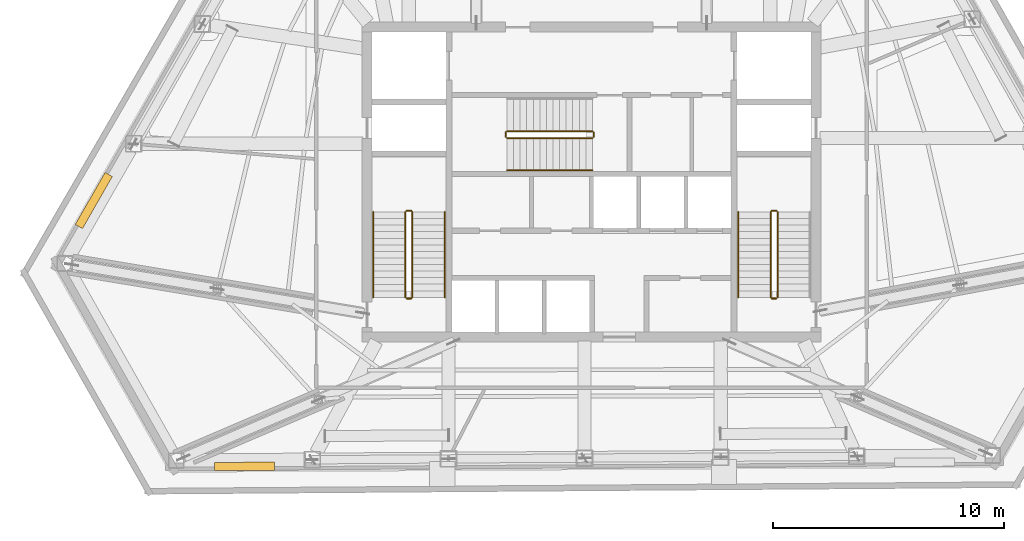
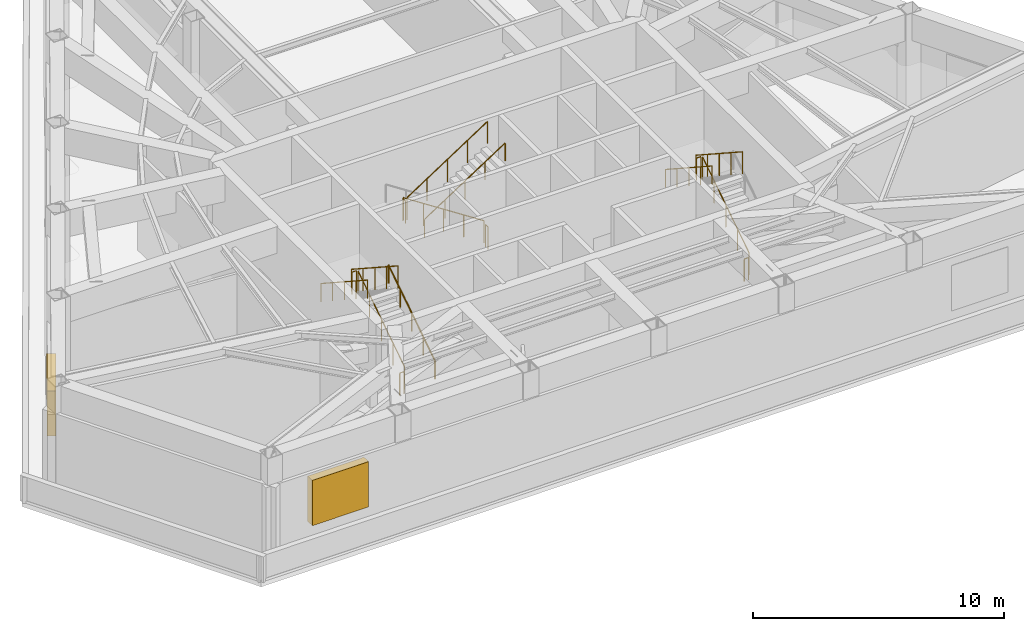
# One storey, part 12 of 13: 16 railings, 2 shading devices.
"""IFC4 building model written with IfcOpenShell, lengths in metres."""

from ifc_helpers import new_model, si_unit, direction, frame, origin, origin_2d, place, context, subcontext, project, spatial, rectangle, circle, extrude, material, layer, layer_set, type_object, element, save


model = new_model("IFC4")

# Units and contexts
model_context = context("Model", 3, precision=1e-05, world=origin(), true_north=direction((0.0, 1.0)))
body_context = subcontext(model_context, "Body", "Model", "MODEL_VIEW")
ifc_project = project(units=[si_unit("LENGTHUNIT", "METRE"), si_unit("AREAUNIT", "SQUARE_METRE"), si_unit("VOLUMEUNIT", "CUBIC_METRE"), si_unit("PLANEANGLEUNIT", "RADIAN"), si_unit("MASSUNIT", "GRAM", prefix="KILO")], contexts=[model_context])

# Site, building, storey
site_placement = place(None, origin())
site = spatial("IfcSite", under=ifc_project, at=site_placement, CompositionType="ELEMENT")
building_placement = place(site_placement, origin())
building = spatial("IfcBuilding", under=site, at=building_placement, Name="Kavelnor Concourse Tower", CompositionType="ELEMENT")
storey_placement = place(building_placement, frame((0.0, 0.0, 154.800048828125)))
storey = spatial("IfcBuildingStorey", under=building, at=storey_placement, Name="L39", CompositionType="ELEMENT", Elevation=154.800048828125)

# Railings
ifc_material_1 = material(Name="Steel Grade 350", Category="steel")
railing_type_1 = type_object("IfcRailingType", Name="RLG-GUARD-1100", PredefinedType="GUARDRAIL", material=ifc_material_1)
railing_1_placement = place(storey_placement, frame((30.22998046875, 11.10009765625, 0.185546875)))
element("IfcRailing", 1, at=railing_1_placement, inside=storey, type_object=railing_type_1, Name="L39 ST1 stair guard 1", PredefinedType="GUARDRAIL", context=body_context, shape_type="SweptSolid", body=[
    extrude(circle(Radius=0.02392578125, at=origin_2d()), frame((0.0, 0.0, 1.076171875), z_axis=(0.0, 0.837806046772, 0.545967973412), x_axis=(-1.0, 0.0, 0.0)), (0.0, 0.0, 1.0), 4.422119140625),
    extrude(circle(Radius=0.02099609375, at=origin_2d()), origin(), (0.0, 0.0, 1.0), 1.052001953125),
    extrude(circle(Radius=0.02099609375, at=origin_2d()), frame((0.0, 0.92626953125, 0.603515625)), (0.0, 0.0, 1.0), 1.052001953125),
    extrude(circle(Radius=0.02099609375, at=origin_2d()), frame((0.0, 1.8525390625, 1.20703125)), (0.0, 0.0, 1.0), 1.052001953125),
    extrude(circle(Radius=0.02099609375, at=origin_2d()), frame((0.0, 2.778564453125, 1.810791015625)), (0.0, 0.0, 1.0), 1.052001953125),
    extrude(circle(Radius=0.02099609375, at=origin_2d()), frame((0.0, 3.704833984375, 2.414306640625)), (0.0, 0.0, 1.0), 1.052001953125),
])
railing_2_placement = place(storey_placement, frame((30.179931640625, 14.85498046875, 2.599853515625)))
element("IfcRailing", 2, at=railing_2_placement, inside=storey, type_object=railing_type_1, Name="L39 ST1 stair guard 2", PredefinedType="GUARDRAIL", context=body_context, shape_type="SweptSolid", body=[
    extrude(circle(Radius=0.02392578125, at=origin_2d()), frame((0.0, 0.0, 1.076171875), z_axis=(-1.0, 0.0, 0.0), x_axis=(0.0, -1.0, 0.0)), (0.0, 0.0, 1.0), 0.199951171875),
    extrude(circle(Radius=0.02099609375, at=origin_2d()), origin(), (0.0, 0.0, 1.0), 1.052001953125),
    extrude(circle(Radius=0.02099609375, at=origin_2d()), frame((-0.199951171875, 0.0, 0.0)), (0.0, 0.0, 1.0), 1.052001953125),
])
railing_3_placement = place(storey_placement, frame((29.929931640625, 14.804931640625, 2.78564453125)))
element("IfcRailing", 3, at=railing_3_placement, inside=storey, type_object=railing_type_1, Name="L39 ST1 stair guard 3", PredefinedType="GUARDRAIL", context=body_context, shape_type="SweptSolid", body=[
    extrude(circle(Radius=0.02392578125, at=origin_2d()), frame((0.0, 0.0, 1.076171875), z_axis=(0.0, -0.837806046772, 0.545967973412), x_axis=(1.0, 0.0, 0.0)), (0.0, 0.0, 1.0), 4.422119140625),
    extrude(circle(Radius=0.02099609375, at=origin_2d()), origin(), (0.0, 0.0, 1.0), 1.052001953125),
    extrude(circle(Radius=0.02099609375, at=origin_2d()), frame((0.0, -0.92626953125, 0.603515625)), (0.0, 0.0, 1.0), 1.052001953125),
    extrude(circle(Radius=0.02099609375, at=origin_2d()), frame((0.0, -1.8525390625, 1.20703125)), (0.0, 0.0, 1.0), 1.052001953125),
    extrude(circle(Radius=0.02099609375, at=origin_2d()), frame((0.0, -2.778564453125, 1.810791015625)), (0.0, 0.0, 1.0), 1.052001953125),
    extrude(circle(Radius=0.02099609375, at=origin_2d()), frame((0.0, -3.704833984375, 2.414306640625)), (0.0, 0.0, 1.0), 1.052001953125),
])
railing_4_placement = place(storey_placement, frame((30.179931640625, 11.050048828125, 0.0)))
element("IfcRailing", 4, at=railing_4_placement, inside=storey, type_object=railing_type_1, Name="L39 ST1 stair guard 4", PredefinedType="GUARDRAIL", context=body_context, shape_type="SweptSolid", body=[
    extrude(circle(Radius=0.02392578125, at=origin_2d()), frame((0.0, 0.0, 1.076171875), z_axis=(-1.0, 0.0, 0.0), x_axis=(0.0, -1.0, 0.0)), (0.0, 0.0, 1.0), 0.199951171875),
    extrude(circle(Radius=0.02099609375, at=origin_2d()), origin(), (0.0, 0.0, 1.0), 1.052001953125),
    extrude(circle(Radius=0.02099609375, at=origin_2d()), frame((-0.199951171875, 0.0, 0.0)), (0.0, 0.0, 1.0), 1.052001953125),
])
railing_5_placement = place(storey_placement, frame((46.070068359375, 11.10009765625, 0.185546875)))
element("IfcRailing", 5, at=railing_5_placement, inside=storey, type_object=railing_type_1, Name="L39 ST2 stair guard 1", PredefinedType="GUARDRAIL", context=body_context, shape_type="SweptSolid", body=[
    extrude(circle(Radius=0.02392578125, at=origin_2d()), frame((0.0, 0.0, 1.076171875), z_axis=(0.0, 0.837806046772, 0.545967973412), x_axis=(-1.0, 0.0, 0.0)), (0.0, 0.0, 1.0), 4.422119140625),
    extrude(circle(Radius=0.02099609375, at=origin_2d()), origin(), (0.0, 0.0, 1.0), 1.052001953125),
    extrude(circle(Radius=0.02099609375, at=origin_2d()), frame((0.0, 0.92626953125, 0.603515625)), (0.0, 0.0, 1.0), 1.052001953125),
    extrude(circle(Radius=0.02099609375, at=origin_2d()), frame((0.0, 1.8525390625, 1.20703125)), (0.0, 0.0, 1.0), 1.052001953125),
    extrude(circle(Radius=0.02099609375, at=origin_2d()), frame((0.0, 2.778564453125, 1.810791015625)), (0.0, 0.0, 1.0), 1.052001953125),
    extrude(circle(Radius=0.02099609375, at=origin_2d()), frame((0.0, 3.704833984375, 2.414306640625)), (0.0, 0.0, 1.0), 1.052001953125),
])
railing_6_placement = place(storey_placement, frame((46.02001953125, 14.85498046875, 2.599853515625)))
element("IfcRailing", 6, at=railing_6_placement, inside=storey, type_object=railing_type_1, Name="L39 ST2 stair guard 2", PredefinedType="GUARDRAIL", context=body_context, shape_type="SweptSolid", body=[
    extrude(circle(Radius=0.02392578125, at=origin_2d()), frame((0.0, 0.0, 1.076171875), z_axis=(-1.0, 0.0, 0.0), x_axis=(0.0, -1.0, 0.0)), (0.0, 0.0, 1.0), 0.199951171875),
    extrude(circle(Radius=0.02099609375, at=origin_2d()), origin(), (0.0, 0.0, 1.0), 1.052001953125),
    extrude(circle(Radius=0.02099609375, at=origin_2d()), frame((-0.199951171875, 0.0, 0.0)), (0.0, 0.0, 1.0), 1.052001953125),
])
railing_7_placement = place(storey_placement, frame((45.77001953125, 14.804931640625, 2.78564453125)))
element("IfcRailing", 7, at=railing_7_placement, inside=storey, type_object=railing_type_1, Name="L39 ST2 stair guard 3", PredefinedType="GUARDRAIL", context=body_context, shape_type="SweptSolid", body=[
    extrude(circle(Radius=0.02392578125, at=origin_2d()), frame((0.0, 0.0, 1.076171875), z_axis=(0.0, -0.837806046772, 0.545967973412), x_axis=(1.0, 0.0, 0.0)), (0.0, 0.0, 1.0), 4.422119140625),
    extrude(circle(Radius=0.02099609375, at=origin_2d()), origin(), (0.0, 0.0, 1.0), 1.052001953125),
    extrude(circle(Radius=0.02099609375, at=origin_2d()), frame((0.0, -0.92626953125, 0.603515625)), (0.0, 0.0, 1.0), 1.052001953125),
    extrude(circle(Radius=0.02099609375, at=origin_2d()), frame((0.0, -1.8525390625, 1.20703125)), (0.0, 0.0, 1.0), 1.052001953125),
    extrude(circle(Radius=0.02099609375, at=origin_2d()), frame((0.0, -2.778564453125, 1.810791015625)), (0.0, 0.0, 1.0), 1.052001953125),
    extrude(circle(Radius=0.02099609375, at=origin_2d()), frame((0.0, -3.704833984375, 2.414306640625)), (0.0, 0.0, 1.0), 1.052001953125),
])
railing_8_placement = place(storey_placement, frame((46.02001953125, 11.050048828125, 0.0)))
element("IfcRailing", 8, at=railing_8_placement, inside=storey, type_object=railing_type_1, Name="L39 ST2 stair guard 4", PredefinedType="GUARDRAIL", context=body_context, shape_type="SweptSolid", body=[
    extrude(circle(Radius=0.02392578125, at=origin_2d()), frame((0.0, 0.0, 1.076171875), z_axis=(-1.0, 0.0, 0.0), x_axis=(0.0, -1.0, 0.0)), (0.0, 0.0, 1.0), 0.199951171875),
    extrude(circle(Radius=0.02099609375, at=origin_2d()), origin(), (0.0, 0.0, 1.0), 1.052001953125),
    extrude(circle(Radius=0.02099609375, at=origin_2d()), frame((-0.199951171875, 0.0, 0.0)), (0.0, 0.0, 1.0), 1.052001953125),
])
railing_9_placement = place(storey_placement, frame((38.0400390625, 18.31005859375, 0.185546875)))
element("IfcRailing", 9, at=railing_9_placement, inside=storey, type_object=railing_type_1, Name="L39 ST3 stair guard 1", PredefinedType="GUARDRAIL", context=body_context, shape_type="SweptSolid", body=[
    extrude(circle(Radius=0.02392578125, at=origin_2d()), frame((0.0, 0.0, 1.076171875), z_axis=(-0.837822502572, 0.0, 0.545942720607), x_axis=(0.0, -1.0, 0.0)), (0.0, 0.0, 1.0), 4.42236328125),
    extrude(circle(Radius=0.02099609375, at=origin_2d()), origin(), (0.0, 0.0, 1.0), 1.052001953125),
    extrude(circle(Radius=0.02099609375, at=origin_2d()), frame((-0.92626953125, 0.0, 0.603515625)), (0.0, 0.0, 1.0), 1.052001953125),
    extrude(circle(Radius=0.02099609375, at=origin_2d()), frame((-1.8525390625, 0.0, 1.20703125)), (0.0, 0.0, 1.0), 1.052001953125),
    extrude(circle(Radius=0.02099609375, at=origin_2d()), frame((-2.77880859375, 0.0, 1.810791015625)), (0.0, 0.0, 1.0), 1.052001953125),
    extrude(circle(Radius=0.02099609375, at=origin_2d()), frame((-3.705078125, 0.0, 2.414306640625)), (0.0, 0.0, 1.0), 1.052001953125),
])
railing_10_placement = place(storey_placement, frame((34.284912109375, 18.260009765625, 2.599853515625)))
element("IfcRailing", 10, at=railing_10_placement, inside=storey, type_object=railing_type_1, Name="L39 ST3 stair guard 2", PredefinedType="GUARDRAIL", context=body_context, shape_type="SweptSolid", body=[
    extrude(circle(Radius=0.02392578125, at=origin_2d()), frame((0.0, 0.0, 1.076171875), z_axis=(0.0, -1.0, 0.0), x_axis=(1.0, 0.0, 0.0)), (0.0, 0.0, 1.0), 0.199951171875),
    extrude(circle(Radius=0.02099609375, at=origin_2d()), origin(), (0.0, 0.0, 1.0), 1.052001953125),
    extrude(circle(Radius=0.02099609375, at=origin_2d()), frame((0.0, -0.199951171875, 0.0)), (0.0, 0.0, 1.0), 1.052001953125),
])
railing_11_placement = place(storey_placement, frame((34.3349609375, 18.010009765625, 2.78564453125)))
element("IfcRailing", 11, at=railing_11_placement, inside=storey, type_object=railing_type_1, Name="L39 ST3 stair guard 3", PredefinedType="GUARDRAIL", context=body_context, shape_type="SweptSolid", body=[
    extrude(circle(Radius=0.02392578125, at=origin_2d()), frame((0.0, 0.0, 1.076171875), z_axis=(0.837822502572, 0.0, 0.545942720607), x_axis=(0.0, 1.0, 0.0)), (0.0, 0.0, 1.0), 4.42236328125),
    extrude(circle(Radius=0.02099609375, at=origin_2d()), origin(), (0.0, 0.0, 1.0), 1.052001953125),
    extrude(circle(Radius=0.02099609375, at=origin_2d()), frame((0.92626953125, 0.0, 0.603515625)), (0.0, 0.0, 1.0), 1.052001953125),
    extrude(circle(Radius=0.02099609375, at=origin_2d()), frame((1.8525390625, 0.0, 1.20703125)), (0.0, 0.0, 1.0), 1.052001953125),
    extrude(circle(Radius=0.02099609375, at=origin_2d()), frame((2.77880859375, 0.0, 1.810791015625)), (0.0, 0.0, 1.0), 1.052001953125),
    extrude(circle(Radius=0.02099609375, at=origin_2d()), frame((3.705078125, 0.0, 2.414306640625)), (0.0, 0.0, 1.0), 1.052001953125),
])
railing_12_placement = place(storey_placement, frame((38.090087890625, 18.260009765625, 0.0)))
element("IfcRailing", 12, at=railing_12_placement, inside=storey, type_object=railing_type_1, Name="L39 ST3 stair guard 4", PredefinedType="GUARDRAIL", context=body_context, shape_type="SweptSolid", body=[
    extrude(circle(Radius=0.02392578125, at=origin_2d()), frame((0.0, 0.0, 1.076171875), z_axis=(0.0, -1.0, 0.0), x_axis=(1.0, 0.0, 0.0)), (0.0, 0.0, 1.0), 0.199951171875),
    extrude(circle(Radius=0.02099609375, at=origin_2d()), origin(), (0.0, 0.0, 1.0), 1.052001953125),
    extrude(circle(Radius=0.02099609375, at=origin_2d()), frame((0.0, -0.199951171875, 0.0)), (0.0, 0.0, 1.0), 1.052001953125),
])
railing_type_2 = type_object("IfcRailingType", Name="RLG-HANDRAIL-900", PredefinedType="HANDRAIL", material=ifc_material_1)
railing_13_placement = place(storey_placement, frame((31.6298828125, 11.10009765625, 0.185546875)))
element("IfcRailing", 13, at=railing_13_placement, inside=storey, type_object=railing_type_2, Name="L39 ST1 stair handrail 1", PredefinedType="HANDRAIL", context=body_context, shape_type="SweptSolid", body=[
    extrude(circle(Radius=0.02392578125, at=origin_2d()), frame((0.0, 0.0, 0.8759765625), z_axis=(0.0, 0.837806046772, 0.545967973412), x_axis=(-1.0, 0.0, 0.0)), (0.0, 0.0, 1.0), 4.422119140625),
    extrude(circle(Radius=0.02099609375, at=origin_2d()), origin(), (0.0, 0.0, 1.0), 0.851806640625),
    extrude(circle(Radius=0.02099609375, at=origin_2d()), frame((0.0, 0.92626953125, 0.603515625)), (0.0, 0.0, 1.0), 0.851806640625),
    extrude(circle(Radius=0.02099609375, at=origin_2d()), frame((0.0, 1.8525390625, 1.20703125)), (0.0, 0.0, 1.0), 0.851806640625),
    extrude(circle(Radius=0.02099609375, at=origin_2d()), frame((0.0, 2.778564453125, 1.810791015625)), (0.0, 0.0, 1.0), 0.851806640625),
    extrude(circle(Radius=0.02099609375, at=origin_2d()), frame((0.0, 3.704833984375, 2.414306640625)), (0.0, 0.0, 1.0), 0.851806640625),
])
for number, where, name in (
    (14, (28.530029296875, 14.804931640625, 2.78564453125), "L39 ST1 stair handrail 2"),
    (15, (44.3701171875, 14.804931640625, 2.78564453125), "L39 ST2 stair handrail 2"),
):
    element("IfcRailing", number, at=place(storey_placement, frame(where)), inside=storey, type_object=railing_type_2, Name=name, PredefinedType="HANDRAIL", context=body_context, shape_type="SweptSolid", body=[
        extrude(circle(Radius=0.02392578125, at=origin_2d()), frame((0.0, 0.0, 0.8759765625), z_axis=(0.0, -0.837806046772, 0.545967973412), x_axis=(1.0, 0.0, 0.0)), (0.0, 0.0, 1.0), 4.422119140625),
        extrude(circle(Radius=0.02099609375, at=origin_2d()), origin(), (0.0, 0.0, 1.0), 0.851806640625),
        extrude(circle(Radius=0.02099609375, at=origin_2d()), frame((0.0, -0.92626953125, 0.603515625)), (0.0, 0.0, 1.0), 0.851806640625),
        extrude(circle(Radius=0.02099609375, at=origin_2d()), frame((0.0, -1.8525390625, 1.20703125)), (0.0, 0.0, 1.0), 0.851806640625),
        extrude(circle(Radius=0.02099609375, at=origin_2d()), frame((0.0, -2.778564453125, 1.810791015625)), (0.0, 0.0, 1.0), 0.851806640625),
        extrude(circle(Radius=0.02099609375, at=origin_2d()), frame((0.0, -3.704833984375, 2.414306640625)), (0.0, 0.0, 1.0), 0.851806640625),
    ])
railing_14_placement = place(storey_placement, frame((34.3349609375, 16.610107421875, 2.78564453125)))
element("IfcRailing", 16, at=railing_14_placement, inside=storey, type_object=railing_type_2, Name="L39 ST3 stair handrail 2", PredefinedType="HANDRAIL", context=body_context, shape_type="SweptSolid", body=[
    extrude(circle(Radius=0.02392578125, at=origin_2d()), frame((0.0, 0.0, 0.8759765625), z_axis=(0.837822502572, 0.0, 0.545942720607), x_axis=(0.0, 1.0, 0.0)), (0.0, 0.0, 1.0), 4.42236328125),
    extrude(circle(Radius=0.02099609375, at=origin_2d()), origin(), (0.0, 0.0, 1.0), 0.851806640625),
    extrude(circle(Radius=0.02099609375, at=origin_2d()), frame((0.92626953125, 0.0, 0.603515625)), (0.0, 0.0, 1.0), 0.851806640625),
    extrude(circle(Radius=0.02099609375, at=origin_2d()), frame((1.8525390625, 0.0, 1.20703125)), (0.0, 0.0, 1.0), 0.851806640625),
    extrude(circle(Radius=0.02099609375, at=origin_2d()), frame((2.77880859375, 0.0, 1.810791015625)), (0.0, 0.0, 1.0), 0.851806640625),
    extrude(circle(Radius=0.02099609375, at=origin_2d()), frame((3.705078125, 0.0, 2.414306640625)), (0.0, 0.0, 1.0), 0.851806640625),
])

# Shading devices
ifc_material_2 = material(Name="Architectural bronze-anodised aluminium", Category="aluminium")
ifc_layer = layer(ifc_material_2, 0.074951171875, Name="Architectural bronze-anodised aluminium")
ifc_layer_set = layer_set([ifc_layer], Name="Architectural bronze-anodised aluminium")
shading_device_type = type_object("IfcShadingDeviceType", Name="SHD-PLANT-LOUVRE", PredefinedType="USERDEFINED", material=ifc_layer_set)
for number, where, z_axis, x_axis, name in (
    (17, (16.413330078125, 15.29931640625, 1.10009765625), (0.0, 0.0, 1.0), (0.498033765367, 0.867157637662, 0.0), "L39 Plant Acoustic Intake Louvre F0-B5"),
    (18, (22.947021484375, 3.77001953125, 1.10009765625), (0.0, 0.0, 1.0), (-0.999981342241, -0.006108614391, 0.0), "L39 Plant Acoustic Intake Louvre F1-B0"),
):
    element("IfcShadingDevice", number, at=place(storey_placement, frame(where, z_axis=z_axis, x_axis=x_axis)), inside=storey, type_object=shading_device_type, Name=name, ObjectType="LOUVRE", PredefinedType="USERDEFINED", context=body_context, shape_type="SweptSolid", body=[
        extrude(rectangle(XDim=2.60009765625, YDim=0.360107421875, at=origin_2d()), origin(), (0.0, 0.0, 1.0), 2.199951171875),
    ])

save(model, "model.ifc")
